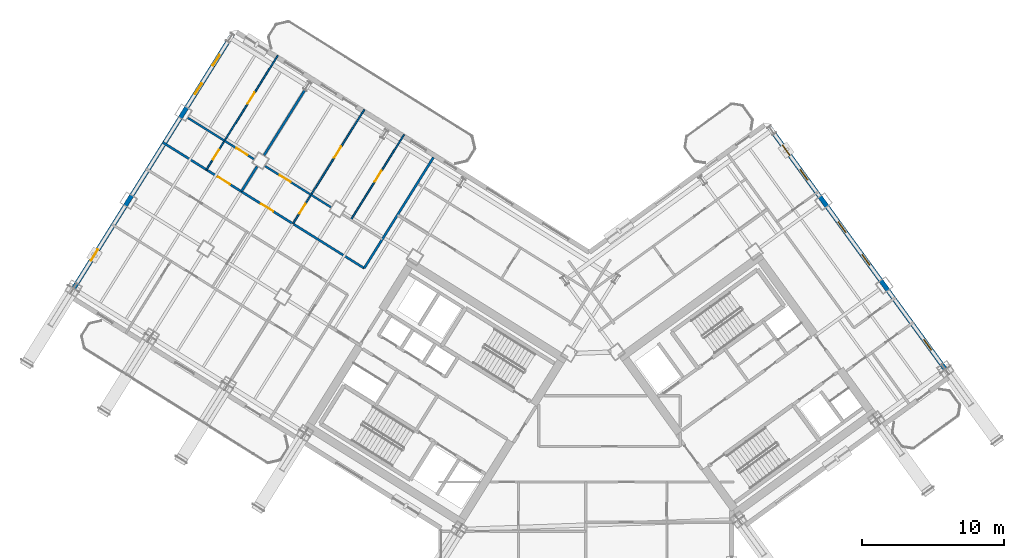
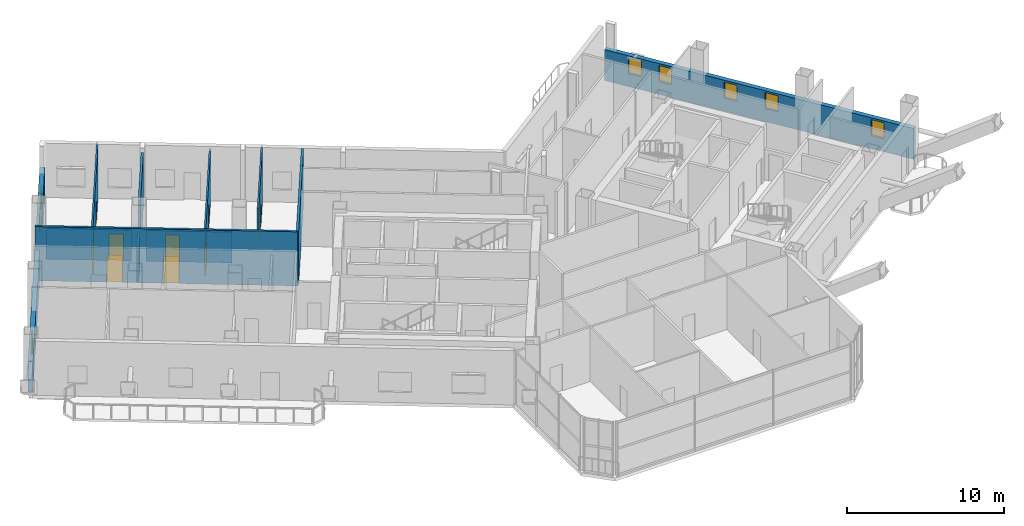
# One storey, part 25 of 32: 13 walls, 9 doors, 8 windows, 17 openings.
"""IFC4 building model written with IfcOpenShell, lengths in metres."""

from ifc_helpers import new_model, si_unit, direction, frame, frame_2d, origin, place, context, subcontext, project, spatial, rectangle, extrude, source, transform, mapped, material, layer, layer_set, type_object, element, fill, save


model = new_model("IFC4")

# Units and contexts
model_context = context("Model", 3, precision=1e-05, world=origin(), true_north=direction((0.0, 1.0)))
body_context = subcontext(model_context, "Body", "Model", "MODEL_VIEW")
ifc_project = project(units=[si_unit("LENGTHUNIT", "METRE"), si_unit("AREAUNIT", "SQUARE_METRE"), si_unit("VOLUMEUNIT", "CUBIC_METRE"), si_unit("PLANEANGLEUNIT", "RADIAN"), si_unit("MASSUNIT", "GRAM", prefix="KILO")], contexts=[model_context])

# Site, building, storey
site_placement = place(None, origin())
site = spatial("IfcSite", under=ifc_project, at=site_placement, CompositionType="ELEMENT")
building_placement = place(site_placement, origin())
building = spatial("IfcBuilding", under=site, at=building_placement, Name="Tlacorven Tower", CompositionType="ELEMENT")
storey_placement = place(building_placement, frame((0.0, 0.0, 123.300048828125)))
storey = spatial("IfcBuildingStorey", under=building, at=storey_placement, Name="L31", CompositionType="ELEMENT", Elevation=123.300048828125)

# Wall
ifc_material_1 = material(Name="Gypsum plasterboard acoustic partition", Category="gypsum")
ifc_layer_1 = layer(ifc_material_1, 0.159912109375)
ifc_layer_set_1 = layer_set([ifc_layer_1], Name="Gypsum plasterboard acoustic partition")
wall_type_1 = type_object("IfcWallType", Name="WL-DEM-160", PredefinedType="PARTITIONING", material=ifc_layer_set_1)
wall_1_placement = place(storey_placement, frame((31.238525390625, 38.27392578125, 0.0), z_axis=(0.0, 0.0, 1.0), x_axis=(-0.529920220799, -0.848047498427, 0.0)))
element("IfcWall", 1, at=wall_1_placement, inside=storey, type_object=wall_type_1, Name="L31 partition 45", PredefinedType="PARTITIONING", context=body_context, shape_type="SweptSolid", body=[
    extrude(rectangle(XDim=9.199951171875, YDim=0.159912109375, at=frame_2d((4.60009765625, 0.0))), origin(), (0.0, 0.0, 1.0), 4.2099609375),
])

# Wall, openings, doors
wall_2_placement = place(storey_placement, frame((26.36328125, 30.471923828125, 0.0), z_axis=(0.0, 0.0, 1.0), x_axis=(-0.848052408131, 0.529912363569, 0.0)))
wall_2 = element("IfcWall", 2, at=wall_2_placement, inside=storey, type_object=wall_type_1, Name="L31 Wing W Corridor South Wall", PredefinedType="PARTITIONING", context=body_context, shape_type="SweptSolid", body=[
    extrude(rectangle(XDim=16.72998046875, YDim=0.159912109375, at=frame_2d((8.364990234375, 0.0))), origin(), (0.0, 0.0, 1.0), 4.2099609375),
])
opening_1_placement = place(wall_2_placement, frame((7.550048828125, 0.0, 0.0)))
opening_1 = element("IfcOpeningElement", 3, at=opening_1_placement, cuts=wall_2, Name="Opening D11", PredefinedType="OPENING", context=body_context, shape_type="SweptSolid", body=[
    extrude(rectangle(XDim=1.0, YDim=2.10009765625, at=frame_2d((0.5, 1.050048828125))), frame((0.0, 0.08984375, 0.0), z_axis=(0.0, -1.0, 0.0), x_axis=(1.0, 0.0, 0.0)), (0.0, 0.0, 1.0), 0.179931640625),
])
opening_2_placement = place(wall_2_placement, frame((11.139892578125, 0.0, 0.0)))
opening_2 = element("IfcOpeningElement", 4, at=opening_2_placement, cuts=wall_2, Name="Opening D11", PredefinedType="OPENING", context=body_context, shape_type="SweptSolid", body=[
    extrude(rectangle(XDim=1.0, YDim=2.10009765625, at=frame_2d((0.5, 1.050048828125))), frame((0.0, 0.08984375, 0.0), z_axis=(0.0, -1.0, 0.0), x_axis=(1.0, 0.0, 0.0)), (0.0, 0.0, 1.0), 0.179931640625),
])
ifc_material_2 = material(Name="Fire-rated steel door assembly", Category="steel")
door_type_1 = type_object("IfcDoorType", Name="DR-FLT-FD60-1000", OperationType="NOTDEFINED", PredefinedType="DOOR", material=ifc_material_2)
shared_shape_1 = source(origin(), body_context, "Body", "SweptSolid", [
    extrude(rectangle(XDim=1.0, YDim=2.10009765625, at=frame_2d((0.5, 1.050048828125))), frame((0.0, 0.02490234375, 0.0), z_axis=(0.0, -1.0, 0.0), x_axis=(1.0, 0.0, 0.0)), (0.0, 0.0, 1.0), 0.050048828125),
])
door_1_placement = place(opening_1_placement, origin())
door_1 = element("IfcDoor", 5, at=door_1_placement, inside=storey, type_object=door_type_1, Name="L31 door 030", OperationType="SINGLE_SWING_RIGHT", OverallHeight=2.10009765625, OverallWidth=1.0, PredefinedType="DOOR", context=body_context, shape_type="MappedRepresentation", body=[
    mapped(shared_shape_1, transform((0.0, 0.0, 0.0), scale=1.0)),
])
fill(opening_1, door_1)
door_2_placement = place(opening_2_placement, origin())
door_2 = element("IfcDoor", 6, at=door_2_placement, inside=storey, type_object=door_type_1, Name="L31 door 036", OperationType="SINGLE_SWING_RIGHT", OverallHeight=2.10009765625, OverallWidth=1.0, PredefinedType="DOOR", context=body_context, shape_type="MappedRepresentation", body=[
    mapped(shared_shape_1, transform((0.0, 0.0, 0.0), scale=1.0)),
])
fill(opening_2, door_2)

# Walls
wall_3_placement = place(storey_placement, frame((22.179931640625, 43.00634765625, 0.0), z_axis=(0.0, 0.0, 1.0), x_axis=(-0.529913610495, -0.848051628978, 0.0)))
element("IfcWall", 7, at=wall_3_placement, inside=storey, type_object=wall_type_1, Name="L31 WS Demising Wall 1", PredefinedType="PARTITIONING", context=body_context, shape_type="SweptSolid", body=[
    extrude(rectangle(XDim=5.40087890625, YDim=0.159912109375, at=frame_2d((2.700439453125, 0.0))), origin(), (0.0, 0.0, 1.0), 4.2099609375),
])
wall_4_placement = place(storey_placement, frame((18.828125, 37.642578125, 0.0), z_axis=(0.0, 0.0, 1.0), x_axis=(-0.529904345651, -0.848057418139, 0.0)))
element("IfcWall", 8, at=wall_4_placement, inside=storey, type_object=wall_type_1, Name="L31 WS Demising Wall 1", PredefinedType="PARTITIONING", context=body_context, shape_type="SweptSolid", body=[
    extrude(rectangle(XDim=2.087890625, YDim=0.159912109375, at=frame_2d((1.0439453125, 0.0))), origin(), (0.0, 0.0, 1.0), 2.39501953125),
])

# Wall, openings, windows
ifc_material_3 = material(Name="Precast concrete C45/55", Category="concrete")
ifc_layer_2 = layer(ifc_material_3, 0.320068359375)
ifc_layer_set_2 = layer_set([ifc_layer_2], Name="Precast concrete C45/55")
wall_type_2 = type_object("IfcWallType", Name="WL-EXT-320", PredefinedType="STANDARD", material=ifc_layer_set_2)
wall_5_placement = place(storey_placement, frame((5.699951171875, 28.71044921875, 0.0), z_axis=(0.0, 0.0, 1.0), x_axis=(0.529923711467, 0.8480453172, 0.0)))
wall_5 = element("IfcWall", 9, at=wall_5_placement, inside=storey, type_object=wall_type_2, Name="L31 Masonry-Frame Recessed Facade Wall 2", PredefinedType="STANDARD", context=body_context, shape_type="SweptSolid", body=[
    extrude(rectangle(XDim=21.58740234375, YDim=0.320068359375, at=frame_2d((10.793701171875, 0.0))), origin(), (0.0, 0.0, 1.0), 2.39501953125),
])
opening_3_placement = place(wall_5_placement, frame((2.71875, 0.0, 1.0)))
opening_3 = element("IfcOpeningElement", 10, at=opening_3_placement, cuts=wall_5, Name="Opening WN05", PredefinedType="OPENING", context=body_context, shape_type="SweptSolid", body=[
    extrude(rectangle(XDim=0.89990234375, YDim=1.25, at=frame_2d((0.449951171875, 0.625))), frame((0.0, 0.169921875, 0.0), z_axis=(0.0, -1.0, 0.0), x_axis=(1.0, 0.0, 0.0)), (0.0, 0.0, 1.0), 0.340087890625),
])
opening_4_placement = place(wall_5_placement, frame((16.52490234375, 0.0, 1.0)))
opening_4 = element("IfcOpeningElement", 11, at=opening_4_placement, cuts=wall_5, Name="Opening WN05", PredefinedType="OPENING", context=body_context, shape_type="SweptSolid", body=[
    extrude(rectangle(XDim=0.89990234375, YDim=1.25, at=frame_2d((0.449951171875, 0.625))), frame((0.0, 0.169921875, 0.0), z_axis=(0.0, -1.0, 0.0), x_axis=(1.0, 0.0, 0.0)), (0.0, 0.0, 1.0), 0.340087890625),
])
opening_5_placement = place(wall_5_placement, frame((18.887451171875, 0.0, 1.0)))
opening_5 = element("IfcOpeningElement", 12, at=opening_5_placement, cuts=wall_5, Name="Opening WN05", PredefinedType="OPENING", context=body_context, shape_type="SweptSolid", body=[
    extrude(rectangle(XDim=0.89990234375, YDim=1.25, at=frame_2d((0.449951171875, 0.625))), frame((0.0, 0.169921875, 0.0), z_axis=(0.0, -1.0, 0.0), x_axis=(1.0, 0.0, 0.0)), (0.0, 0.0, 1.0), 0.340087890625),
])
ifc_material_4 = material(Name="Dark solar low-E double glazing in anodised aluminium frame", Category="aluminium")
window_type = type_object("IfcWindowType", Name="WN-APT-0900X1350", PartitioningType="SINGLE_PANEL", PredefinedType="WINDOW", material=ifc_material_4)
shared_shape_2 = source(origin(), body_context, "Body", "SweptSolid", [
    extrude(rectangle(XDim=0.89990234375, YDim=1.25, at=frame_2d((0.449951171875, 0.625))), frame((0.0, 0.030029296875, 0.0), z_axis=(0.0, -1.0, 0.0), x_axis=(1.0, 0.0, 0.0)), (0.0, 0.0, 1.0), 0.06005859375),
])
window_1_placement = place(opening_3_placement, origin())
window_1 = element("IfcWindow", 13, at=window_1_placement, inside=storey, type_object=window_type, Name="L31 Recessed Masonry-Frame Window L31-02.1", OverallHeight=1.25, OverallWidth=0.89990234375, PartitioningType="SINGLE_PANEL", PredefinedType="WINDOW", context=body_context, shape_type="MappedRepresentation", body=[
    mapped(shared_shape_2, transform((0.0, 0.0, 0.0), scale=1.0)),
])
fill(opening_3, window_1)
window_2_placement = place(opening_4_placement, origin())
window_2 = element("IfcWindow", 14, at=window_2_placement, inside=storey, type_object=window_type, Name="L31 Recessed Masonry-Frame Window L31-02.2", OverallHeight=1.25, OverallWidth=0.89990234375, PartitioningType="SINGLE_PANEL", PredefinedType="WINDOW", context=body_context, shape_type="MappedRepresentation", body=[
    mapped(shared_shape_2, transform((0.0, 0.0, 0.0), scale=1.0)),
])
fill(opening_4, window_2)
window_3_placement = place(opening_5_placement, origin())
window_3 = element("IfcWindow", 15, at=window_3_placement, inside=storey, type_object=window_type, Name="L31 Recessed Masonry-Frame Window L31-02.3", OverallHeight=1.25, OverallWidth=0.89990234375, PartitioningType="SINGLE_PANEL", PredefinedType="WINDOW", context=body_context, shape_type="MappedRepresentation", body=[
    mapped(shared_shape_2, transform((0.0, 0.0, 0.0), scale=1.0)),
])
fill(opening_5, window_3)

wall_6_placement = place(storey_placement, frame((54.810302734375, 40.49951171875, 0.0), z_axis=(0.0, 0.0, 1.0), x_axis=(0.587783625747, -0.809018176127, 0.0)))
wall_6 = element("IfcWall", 16, at=wall_6_placement, inside=storey, type_object=wall_type_2, Name="L31 Masonry-Frame Recessed Facade Wall 5", PredefinedType="STANDARD", context=body_context, shape_type="SweptSolid", body=[
    extrude(rectangle(XDim=21.58740234375, YDim=0.320068359375, at=frame_2d((10.793701171875, 0.0))), origin(), (0.0, 0.0, 1.0), 2.39501953125),
])
opening_6_placement = place(wall_6_placement, frame((1.6806640625, 0.0, 1.0)))
opening_6 = element("IfcOpeningElement", 17, at=opening_6_placement, cuts=wall_6, Name="Opening WN05", PredefinedType="OPENING", context=body_context, shape_type="SweptSolid", body=[
    extrude(rectangle(XDim=0.89990234375, YDim=1.25, at=frame_2d((0.449951171875, 0.625))), frame((0.0, 0.169921875, 0.0), z_axis=(0.0, -1.0, 0.0), x_axis=(1.0, 0.0, 0.0)), (0.0, 0.0, 1.0), 0.340087890625),
])
opening_7_placement = place(wall_6_placement, frame((3.8046875, 0.0, 1.0)))
opening_7 = element("IfcOpeningElement", 18, at=opening_7_placement, cuts=wall_6, Name="Opening WN05", PredefinedType="OPENING", context=body_context, shape_type="SweptSolid", body=[
    extrude(rectangle(XDim=0.89990234375, YDim=1.25, at=frame_2d((0.449951171875, 0.625))), frame((0.0, 0.169921875, 0.0), z_axis=(0.0, -1.0, 0.0), x_axis=(1.0, 0.0, 0.0)), (0.0, 0.0, 1.0), 0.340087890625),
])
opening_8_placement = place(wall_6_placement, frame((8.36865234375, 0.0, 1.0)))
opening_8 = element("IfcOpeningElement", 19, at=opening_8_placement, cuts=wall_6, Name="Opening WN05", PredefinedType="OPENING", context=body_context, shape_type="SweptSolid", body=[
    extrude(rectangle(XDim=0.89990234375, YDim=1.25, at=frame_2d((0.449951171875, 0.625))), frame((0.0, 0.169921875, 0.0), z_axis=(0.0, -1.0, 0.0), x_axis=(1.0, 0.0, 0.0)), (0.0, 0.0, 1.0), 0.340087890625),
])
opening_9_placement = place(wall_6_placement, frame((11.21875, 0.0, 1.0)))
opening_9 = element("IfcOpeningElement", 20, at=opening_9_placement, cuts=wall_6, Name="Opening WN05", PredefinedType="OPENING", context=body_context, shape_type="SweptSolid", body=[
    extrude(rectangle(XDim=0.89990234375, YDim=1.25, at=frame_2d((0.449951171875, 0.625))), frame((0.0, 0.169921875, 0.0), z_axis=(0.0, -1.0, 0.0), x_axis=(1.0, 0.0, 0.0)), (0.0, 0.0, 1.0), 0.340087890625),
])
opening_10_placement = place(wall_6_placement, frame((18.608642578125, 0.0, 1.0)))
opening_10 = element("IfcOpeningElement", 21, at=opening_10_placement, cuts=wall_6, Name="Opening WN05", PredefinedType="OPENING", context=body_context, shape_type="SweptSolid", body=[
    extrude(rectangle(XDim=0.89990234375, YDim=1.25, at=frame_2d((0.449951171875, 0.625))), frame((0.0, 0.169921875, 0.0), z_axis=(0.0, -1.0, 0.0), x_axis=(1.0, 0.0, 0.0)), (0.0, 0.0, 1.0), 0.340087890625),
])
window_4_placement = place(opening_6_placement, origin())
window_4 = element("IfcWindow", 22, at=window_4_placement, inside=storey, type_object=window_type, Name="L31 Recessed Masonry-Frame Window L31-05.1", OverallHeight=1.25, OverallWidth=0.89990234375, PartitioningType="SINGLE_PANEL", PredefinedType="WINDOW", context=body_context, shape_type="MappedRepresentation", body=[
    mapped(shared_shape_2, transform((0.0, 0.0, 0.0), scale=1.0)),
])
fill(opening_6, window_4)
window_5_placement = place(opening_7_placement, origin())
window_5 = element("IfcWindow", 23, at=window_5_placement, inside=storey, type_object=window_type, Name="L31 Recessed Masonry-Frame Window L31-05.2", OverallHeight=1.25, OverallWidth=0.89990234375, PartitioningType="SINGLE_PANEL", PredefinedType="WINDOW", context=body_context, shape_type="MappedRepresentation", body=[
    mapped(shared_shape_2, transform((0.0, 0.0, 0.0), scale=1.0)),
])
fill(opening_7, window_5)
window_6_placement = place(opening_8_placement, origin())
window_6 = element("IfcWindow", 24, at=window_6_placement, inside=storey, type_object=window_type, Name="L31 Recessed Masonry-Frame Window L31-05.3", OverallHeight=1.25, OverallWidth=0.89990234375, PartitioningType="SINGLE_PANEL", PredefinedType="WINDOW", context=body_context, shape_type="MappedRepresentation", body=[
    mapped(shared_shape_2, transform((0.0, 0.0, 0.0), scale=1.0)),
])
fill(opening_8, window_6)
window_7_placement = place(opening_9_placement, origin())
window_7 = element("IfcWindow", 25, at=window_7_placement, inside=storey, type_object=window_type, Name="L31 Recessed Masonry-Frame Window L31-05.4", OverallHeight=1.25, OverallWidth=0.89990234375, PartitioningType="SINGLE_PANEL", PredefinedType="WINDOW", context=body_context, shape_type="MappedRepresentation", body=[
    mapped(shared_shape_2, transform((0.0, 0.0, 0.0), scale=1.0)),
])
fill(opening_9, window_7)
window_8_placement = place(opening_10_placement, origin())
window_8 = element("IfcWindow", 26, at=window_8_placement, inside=storey, type_object=window_type, Name="L31 Recessed Masonry-Frame Window L31-05.5", OverallHeight=1.25, OverallWidth=0.89990234375, PartitioningType="SINGLE_PANEL", PredefinedType="WINDOW", context=body_context, shape_type="MappedRepresentation", body=[
    mapped(shared_shape_2, transform((0.0, 0.0, 0.0), scale=1.0)),
])
fill(opening_10, window_8)

# Wall, openings, doors
ifc_material_5 = material(Name="Gypsum plasterboard partition", Category="gypsum")
ifc_layer_3 = layer(ifc_material_5, 0.110107421875)
ifc_layer_set_3 = layer_set([ifc_layer_3], Name="Gypsum plasterboard partition")
wall_type_3 = type_object("IfcWallType", Name="WL-INT-110", PredefinedType="PARTITIONING", material=ifc_layer_set_3)
wall_7_placement = place(storey_placement, frame((26.36962890625, 41.634765625, 0.0), z_axis=(0.0, 0.0, 1.0), x_axis=(-0.529917830441, -0.848048992088, 0.0)))
wall_7 = element("IfcWall", 27, at=wall_7_placement, inside=storey, type_object=wall_type_3, Name="L31 partition 57", PredefinedType="PARTITIONING", context=body_context, shape_type="SweptSolid", body=[
    extrude(rectangle(XDim=9.469970703125, YDim=0.110107421875, at=frame_2d((4.73486328125, 0.0))), origin(), (0.0, 0.0, 1.0), 3.864990234375),
])
opening_11_placement = place(wall_7_placement, frame((7.830078125, 0.0, 0.0)))
opening_11 = element("IfcOpeningElement", 28, at=opening_11_placement, cuts=wall_7, Name="Opening D22", PredefinedType="OPENING", context=body_context, shape_type="SweptSolid", body=[
    extrude(rectangle(XDim=0.780029296875, YDim=2.050048828125, at=frame_2d((0.39013671875, 1.02490234375))), frame((0.0, 0.06494140625, 0.0), z_axis=(0.0, -1.0, 0.0), x_axis=(1.0, 0.0, 0.0)), (0.0, 0.0, 1.0), 0.130126953125),
])
opening_12_placement = place(wall_7_placement, frame((3.074951171875, 0.0, 0.0)))
opening_12 = element("IfcOpeningElement", 29, at=opening_12_placement, cuts=wall_7, Name="Opening D12", PredefinedType="OPENING", context=body_context, shape_type="SweptSolid", body=[
    extrude(rectangle(XDim=0.919921875, YDim=2.080078125, at=frame_2d((0.4599609375, 1.0400390625))), frame((0.0, 0.06494140625, 0.0), z_axis=(0.0, -1.0, 0.0), x_axis=(1.0, 0.0, 0.0)), (0.0, 0.0, 1.0), 0.130126953125),
])
ifc_material_6 = material(Name="Powder-coated aluminium and timber door", Category="wood")
door_type_2 = type_object("IfcDoorType", Name="DR-INT-WET-0780", OperationType="NOTDEFINED", PredefinedType="DOOR", material=ifc_material_6)
shared_shape_3 = source(origin(), body_context, "Body", "SweptSolid", [
    extrude(rectangle(XDim=0.780029296875, YDim=2.050048828125, at=frame_2d((0.39013671875, 1.02490234375))), frame((0.0, 0.02490234375, 0.0), z_axis=(0.0, -1.0, 0.0), x_axis=(1.0, 0.0, 0.0)), (0.0, 0.0, 1.0), 0.050048828125),
])
door_3_placement = place(opening_11_placement, origin())
door_3 = element("IfcDoor", 30, at=door_3_placement, inside=storey, type_object=door_type_2, Name="L31 door 032", OperationType="SINGLE_SWING_RIGHT", OverallHeight=2.050048828125, OverallWidth=0.780029296875, PredefinedType="DOOR", context=body_context, shape_type="MappedRepresentation", body=[
    mapped(shared_shape_3, transform((0.0, 0.0, 0.0), scale=1.0)),
])
fill(opening_11, door_3)
door_type_3 = type_object("IfcDoorType", Name="DR-INT-ROOM-0920", OperationType="NOTDEFINED", PredefinedType="DOOR", material=ifc_material_6)
shared_shape_4 = source(origin(), body_context, "Body", "SweptSolid", [
    extrude(rectangle(XDim=0.919921875, YDim=2.080078125, at=frame_2d((0.4599609375, 1.0400390625))), frame((0.0, 0.02490234375, 0.0), z_axis=(0.0, -1.0, 0.0), x_axis=(1.0, 0.0, 0.0)), (0.0, 0.0, 1.0), 0.050048828125),
])
door_4_placement = place(opening_12_placement, origin())
door_4 = element("IfcDoor", 31, at=door_4_placement, inside=storey, type_object=door_type_3, Name="L31 door 033", OperationType="SINGLE_SWING_LEFT", OverallHeight=2.080078125, OverallWidth=0.919921875, PredefinedType="DOOR", context=body_context, shape_type="MappedRepresentation", body=[
    mapped(shared_shape_4, transform((0.0, 0.0, 0.0), scale=1.0)),
])
fill(opening_12, door_4)

# Wall, opening, door
wall_8_placement = place(storey_placement, frame((29.1767578125, 39.880615234375, 0.0), z_axis=(0.0, 0.0, 1.0), x_axis=(-0.529930649952, -0.848040981463, 0.0)))
wall_8 = element("IfcWall", 32, at=wall_8_placement, inside=storey, type_object=wall_type_3, Name="L31 partition 61", PredefinedType="PARTITIONING", context=body_context, shape_type="SweptSolid", body=[
    extrude(rectangle(XDim=7.070068359375, YDim=0.110107421875, at=frame_2d((3.53515625, 0.0))), origin(), (0.0, 0.0, 1.0), 4.2099609375),
])
opening_13_placement = place(wall_8_placement, frame((3.0, 0.0, 0.0)))
opening_13 = element("IfcOpeningElement", 33, at=opening_13_placement, cuts=wall_8, Name="Opening D12", PredefinedType="OPENING", context=body_context, shape_type="SweptSolid", body=[
    extrude(rectangle(XDim=0.919921875, YDim=2.080078125, at=frame_2d((0.4599609375, 1.0400390625))), frame((0.0, 0.06494140625, 0.0), z_axis=(0.0, -1.0, 0.0), x_axis=(1.0, 0.0, 0.0)), (0.0, 0.0, 1.0), 0.130126953125),
])
door_5_placement = place(opening_13_placement, origin())
door_5 = element("IfcDoor", 34, at=door_5_placement, inside=storey, type_object=door_type_3, Name="L31 door 034", OperationType="SINGLE_SWING_RIGHT", OverallHeight=2.080078125, OverallWidth=0.919921875, PredefinedType="DOOR", context=body_context, shape_type="MappedRepresentation", body=[
    mapped(shared_shape_4, transform((0.0, 0.0, 0.0), scale=1.0)),
])
fill(opening_13, door_5)

# Wall, openings, doors
wall_9_placement = place(storey_placement, frame((20.280517578125, 45.439697265625, 0.0), z_axis=(0.0, 0.0, 1.0), x_axis=(-0.529917830441, -0.848048992088, 0.0)))
wall_9 = element("IfcWall", 35, at=wall_9_placement, inside=storey, type_object=wall_type_3, Name="L31 partition 62", PredefinedType="PARTITIONING", context=body_context, shape_type="SweptSolid", body=[
    extrude(rectangle(XDim=9.469970703125, YDim=0.110107421875, at=frame_2d((4.73486328125, 0.0))), origin(), (0.0, 0.0, 1.0), 4.2099609375),
])
opening_14_placement = place(wall_9_placement, frame((7.830078125, 0.0, 0.0)))
opening_14 = element("IfcOpeningElement", 36, at=opening_14_placement, cuts=wall_9, Name="Opening D22", PredefinedType="OPENING", context=body_context, shape_type="SweptSolid", body=[
    extrude(rectangle(XDim=0.780029296875, YDim=2.050048828125, at=frame_2d((0.39013671875, 1.02490234375))), frame((0.0, 0.06494140625, 0.0), z_axis=(0.0, -1.0, 0.0), x_axis=(1.0, 0.0, 0.0)), (0.0, 0.0, 1.0), 0.130126953125),
])
opening_15_placement = place(wall_9_placement, frame((3.074951171875, 0.0, 0.0)))
opening_15 = element("IfcOpeningElement", 37, at=opening_15_placement, cuts=wall_9, Name="Opening D12", PredefinedType="OPENING", context=body_context, shape_type="SweptSolid", body=[
    extrude(rectangle(XDim=0.919921875, YDim=2.080078125, at=frame_2d((0.4599609375, 1.0400390625))), frame((0.0, 0.06494140625, 0.0), z_axis=(0.0, -1.0, 0.0), x_axis=(1.0, 0.0, 0.0)), (0.0, 0.0, 1.0), 0.130126953125),
])
door_6_placement = place(opening_14_placement, origin())
door_6 = element("IfcDoor", 38, at=door_6_placement, inside=storey, type_object=door_type_2, Name="L31 door 038", OperationType="SINGLE_SWING_RIGHT", OverallHeight=2.050048828125, OverallWidth=0.780029296875, PredefinedType="DOOR", context=body_context, shape_type="MappedRepresentation", body=[
    mapped(shared_shape_3, transform((0.0, 0.0, 0.0), scale=1.0)),
])
fill(opening_14, door_6)
door_7_placement = place(opening_15_placement, origin())
door_7 = element("IfcDoor", 39, at=door_7_placement, inside=storey, type_object=door_type_3, Name="L31 door 039", OperationType="SINGLE_SWING_LEFT", OverallHeight=2.080078125, OverallWidth=0.919921875, PredefinedType="DOOR", context=body_context, shape_type="MappedRepresentation", body=[
    mapped(shared_shape_4, transform((0.0, 0.0, 0.0), scale=1.0)),
])
fill(opening_15, door_7)

# Wall, opening, door
ifc_material_7 = material(Name="Moisture-resistant gypsum plumbing wall", Category="gypsum")
ifc_layer_4 = layer(ifc_material_7, 0.139892578125)
ifc_layer_set_4 = layer_set([ifc_layer_4], Name="Moisture-resistant gypsum plumbing wall")
wall_type_4 = type_object("IfcWallType", Name="WL-PLM-140", PredefinedType="PLUMBINGWALL", material=ifc_layer_set_4)
wall_10_placement = place(storey_placement, frame((22.623046875, 35.63916015625, 0.0), z_axis=(0.0, 0.0, 1.0), x_axis=(-0.8480485946, 0.529918466555, 0.0)))
wall_10 = element("IfcWall", 40, at=wall_10_placement, inside=storey, type_object=wall_type_4, Name="L31 partition 59", PredefinedType="PLUMBINGWALL", context=body_context, shape_type="SweptSolid", body=[
    extrude(rectangle(XDim=3.81787109375, YDim=0.139892578125, at=frame_2d((1.908935546875, 0.0))), origin(), (0.0, 0.0, 1.0), 2.39501953125),
])
opening_16_placement = place(wall_10_placement, frame((1.679931640625, 0.0, 0.0)))
opening_16 = element("IfcOpeningElement", 41, at=opening_16_placement, cuts=wall_10, Name="Opening D12", PredefinedType="OPENING", context=body_context, shape_type="SweptSolid", body=[
    extrude(rectangle(XDim=0.919921875, YDim=2.080078125, at=frame_2d((0.4599609375, 1.0400390625))), frame((0.0, 0.080078125, 0.0), z_axis=(0.0, -1.0, 0.0), x_axis=(1.0, 0.0, 0.0)), (0.0, 0.0, 1.0), 0.159912109375),
])
door_8_placement = place(opening_16_placement, origin())
door_8 = element("IfcDoor", 42, at=door_8_placement, inside=storey, type_object=door_type_3, Name="L31 door 031", OperationType="SINGLE_SWING_LEFT", OverallHeight=2.080078125, OverallWidth=0.919921875, PredefinedType="DOOR", context=body_context, shape_type="MappedRepresentation", body=[
    mapped(shared_shape_4, transform((0.0, 0.0, 0.0), scale=1.0)),
])
fill(opening_16, door_8)

# Wall
wall_11_placement = place(storey_placement, frame((24.029052734375, 34.760498046875, 0.0), z_axis=(0.0, 0.0, 1.0), x_axis=(-0.848023120795, 0.529959231071, 0.0)))
element("IfcWall", 43, at=wall_11_placement, inside=storey, type_object=wall_type_4, Name="L31 partition 60", PredefinedType="PLUMBINGWALL", context=body_context, shape_type="SweptSolid", body=[
    extrude(rectangle(XDim=1.657958984375, YDim=0.139892578125, at=frame_2d((0.8291015625, 0.0))), origin(), (0.0, 0.0, 1.0), 2.39501953125),
])

# Wall, opening, door
wall_12_placement = place(storey_placement, frame((18.6015625, 38.15185546875, 0.0), z_axis=(0.0, 0.0, 1.0), x_axis=(-0.848020807548, 0.529962932634, 0.0)))
wall_12 = element("IfcWall", 44, at=wall_12_placement, inside=storey, type_object=wall_type_4, Name="L31 partition 64", PredefinedType="PLUMBINGWALL", context=body_context, shape_type="SweptSolid", body=[
    extrude(rectangle(XDim=2.43798828125, YDim=0.139892578125, at=frame_2d((1.218994140625, 0.0))), origin(), (0.0, 0.0, 1.0), 2.39501953125),
])
opening_17_placement = place(wall_12_placement, frame((0.528076171875, 0.0, 0.0)))
opening_17 = element("IfcOpeningElement", 45, at=opening_17_placement, cuts=wall_12, Name="Opening D12", PredefinedType="OPENING", context=body_context, shape_type="SweptSolid", body=[
    extrude(rectangle(XDim=0.919921875, YDim=2.080078125, at=frame_2d((0.4599609375, 1.0400390625))), frame((0.0, 0.080078125, 0.0), z_axis=(0.0, -1.0, 0.0), x_axis=(1.0, 0.0, 0.0)), (0.0, 0.0, 1.0), 0.159912109375),
])
door_9_placement = place(opening_17_placement, origin())
door_9 = element("IfcDoor", 46, at=door_9_placement, inside=storey, type_object=door_type_3, Name="L31 door 037", OperationType="SINGLE_SWING_RIGHT", OverallHeight=2.080078125, OverallWidth=0.919921875, PredefinedType="DOOR", context=body_context, shape_type="MappedRepresentation", body=[
    mapped(shared_shape_4, transform((0.0, 0.0, 0.0), scale=1.0)),
])
fill(opening_17, door_9)

# Wall
wall_13_placement = place(storey_placement, frame((16.5341796875, 39.44384765625, 0.0), z_axis=(0.0, 0.0, 1.0), x_axis=(-0.848056989933, 0.52990503095, 0.0)))
element("IfcWall", 47, at=wall_13_placement, inside=storey, type_object=wall_type_4, Name="L31 partition 65", PredefinedType="PLUMBINGWALL", context=body_context, shape_type="SweptSolid", body=[
    extrude(rectangle(XDim=3.0380859375, YDim=0.139892578125, at=frame_2d((1.51904296875, 0.0))), origin(), (0.0, 0.0, 1.0), 2.39501953125),
])

save(model, "model.ifc")
